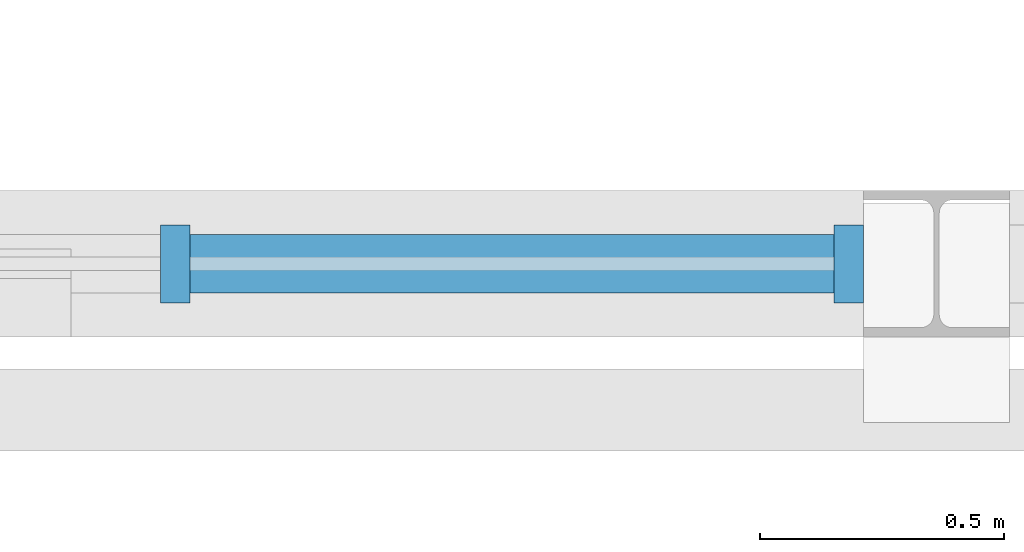
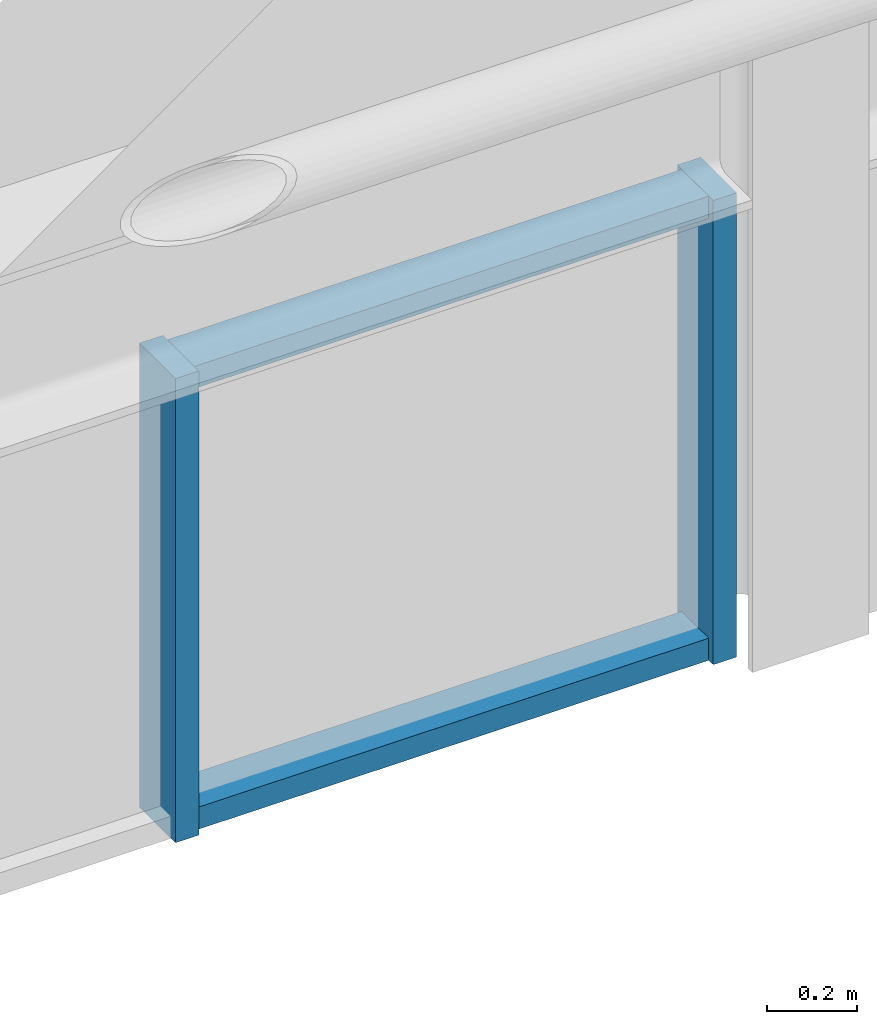
# One storey, part 10 of 65: 4 members, 1 element without a shape of its own.
"""IFC4 building model written with IfcOpenShell, lengths in metres."""

from ifc_helpers import new_model, si_unit, direction, frame, origin, origin_2d, place, context, subcontext, project, spatial, rectangle, extrude, material, material_profile, profile_set, type_object, element, aggregate, save


model = new_model("IFC4")

# Units and contexts
model_context = context("Model", 3, precision=1e-05, world=origin(), true_north=direction((0.0, 1.0)))
body_context = subcontext(model_context, "Body", "Model", "MODEL_VIEW")
ifc_project = project(units=[si_unit("LENGTHUNIT", "METRE"), si_unit("AREAUNIT", "SQUARE_METRE"), si_unit("VOLUMEUNIT", "CUBIC_METRE"), si_unit("PLANEANGLEUNIT", "RADIAN"), si_unit("MASSUNIT", "GRAM", prefix="KILO")], contexts=[model_context])

# Site, building, storey
site_placement = place(None, origin())
site = spatial("IfcSite", under=ifc_project, at=site_placement, CompositionType="ELEMENT")
building_placement = place(site_placement, origin())
building = spatial("IfcBuilding", under=site, at=building_placement, Name="Elbe Cascade School", CompositionType="ELEMENT")
storey_placement = place(building_placement, frame((0.0, 0.0, 11.699951171875)))
storey = spatial("IfcBuildingStorey", under=building, at=storey_placement, Name="L03", CompositionType="ELEMENT", Elevation=11.699951171875)

# Curtain wall, members
ifc_material_1 = material(Name="Glass - double glazed low-E", Category="glass")
curtain_wall_type = type_object("IfcCurtainWallType", Name="Hall gable curtain wall", PredefinedType="NOTDEFINED", material=ifc_material_1)
curtain_wall_placement = place(storey_placement, origin())
curtain_wall = element("IfcCurtainWall", 1, at=curtain_wall_placement, inside=storey, type_object=curtain_wall_type, Name="Gable curtain wall S2", PredefinedType="NOTDEFINED")
ifc_material_2 = material(Name="Aluminium - bronze anodised", Category="aluminium")
ifc_material_profile_1 = material_profile(ifc_material_2, rectangle(XDim=0.159912109375, YDim=0.06005859375, at=origin_2d()), Name="Alu 60x160")
ifc_profile_set_1 = profile_set([ifc_material_profile_1], Name="Aluminium - bronze anodised")
member_type_1 = type_object("IfcMemberType", Name="Hall gable mullion 60x160", PredefinedType="MULLION", material=ifc_profile_set_1)
member_1_placement = place(storey_placement, frame((32.43896484375, 41.300048828125, 0.0), z_axis=(0.0, 0.0, 1.0), x_axis=(0.0, 1.0, 0.0)))
member_1 = element("IfcMember", 2, at=member_1_placement, type_object=member_type_1, Name="CW6 mullion 9", PredefinedType="MULLION", context=body_context, shape_type="SweptSolid", body=[
    extrude(rectangle(XDim=0.159912109375, YDim=0.06005859375, at=origin_2d()), origin(), (0.0, 0.0, 1.0), 1.260009765625),
])
member_2_placement = place(storey_placement, frame((33.820068359375, 41.300048828125, 0.0), z_axis=(0.0, 0.0, 1.0), x_axis=(0.0, 1.0, 0.0)))
member_2 = element("IfcMember", 3, at=member_2_placement, type_object=member_type_1, Name="CW6 mullion 10", PredefinedType="MULLION", context=body_context, shape_type="SweptSolid", body=[
    extrude(rectangle(XDim=0.159912109375, YDim=0.06005859375, at=origin_2d()), origin(), (0.0, 0.0, 1.0), 1.260009765625),
])
ifc_material_3 = material(Name="Aluminium - bronze anodised", Category="aluminium")
ifc_material_profile_2 = material_profile(ifc_material_3, rectangle(XDim=0.1201171875, YDim=0.06005859375, at=origin_2d()), Name="Alu 60x120")
ifc_profile_set_2 = profile_set([ifc_material_profile_2], Name="Aluminium - bronze anodised")
member_type_2 = type_object("IfcMemberType", Name="Hall gable transom 60x120", PredefinedType="USERDEFINED", material=ifc_profile_set_2)
member_3_placement = place(storey_placement, frame((32.468994140625, 41.300048828125, 0.030029296875), z_axis=(1.0, 0.0, 0.0), x_axis=(0.0, 1.0, 0.0)))
member_3 = element("IfcMember", 4, at=member_3_placement, type_object=member_type_2, Name="CW6 transom 9.1", ObjectType="TRANSOM", PredefinedType="USERDEFINED", context=body_context, shape_type="SweptSolid", body=[
    extrude(rectangle(XDim=0.1201171875, YDim=0.06005859375, at=origin_2d()), origin(), (0.0, 0.0, 1.0), 1.321044921875),
])
member_4_placement = place(storey_placement, frame((32.468994140625, 41.300048828125, 1.22998046875), z_axis=(1.0, 0.0, 0.0), x_axis=(0.0, 1.0, 0.0)))
member_4 = element("IfcMember", 5, at=member_4_placement, type_object=member_type_2, Name="CW6 transom 9.2", ObjectType="TRANSOM", PredefinedType="USERDEFINED", context=body_context, shape_type="SweptSolid", body=[
    extrude(rectangle(XDim=0.1201171875, YDim=0.06005859375, at=origin_2d()), origin(), (0.0, 0.0, 1.0), 1.321044921875),
])
aggregate(curtain_wall, [member_1, member_2, member_3, member_4])

save(model, "model.ifc")
